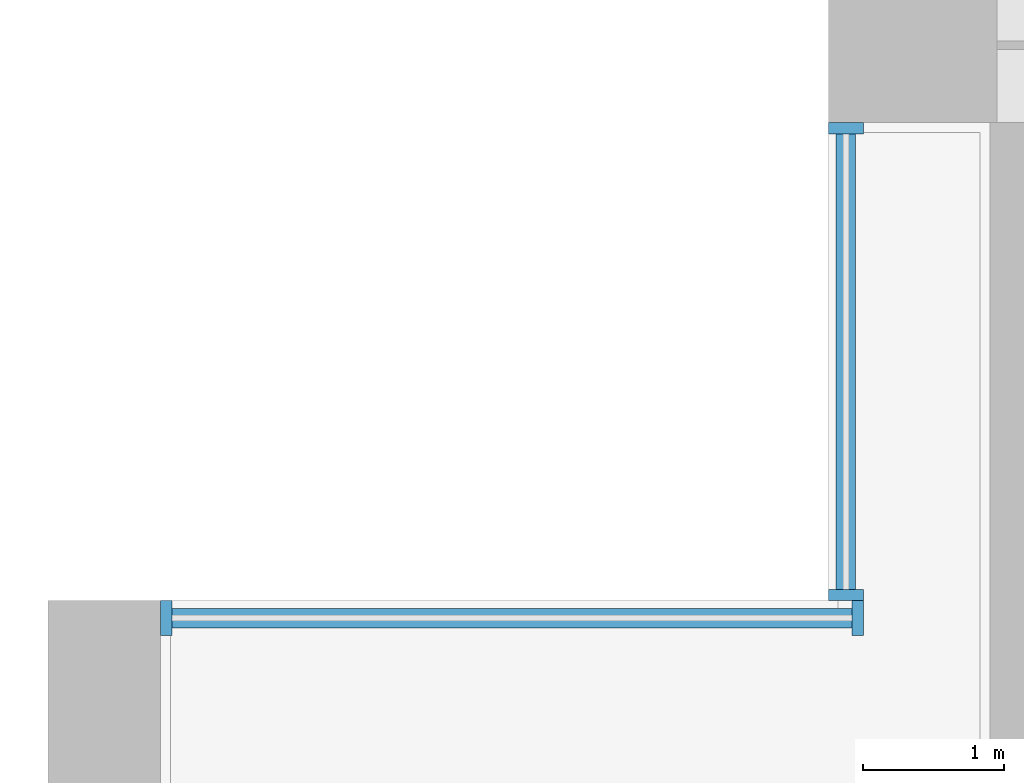
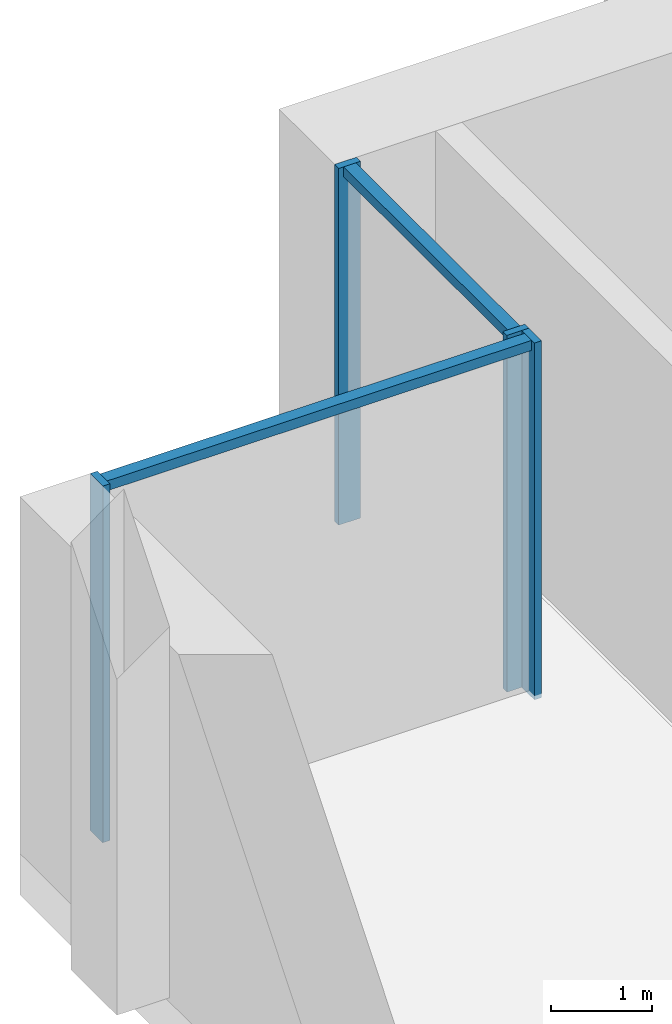
# One storey, part 4 of 17: 6 members, 2 elements without a shape of their own.
"""IFC4 building model written with IfcOpenShell, lengths in metres."""

import ifcopenshell
import ifcopenshell.guid

model = None  # the IFC model being written
_history = None  # IfcOwnerHistory: only IFC2X3 demands one
_inside = {}  # id of a spatial element -> (the spatial element, [elements in it])
_under = {}  # id of a project, library or spatial element -> (it, [spatial elements below it])
_declared = {}  # id of a project -> (the project, [libraries it declares])
_typed = {}  # id of a type object -> (the type object, [elements of that type])
_made_of = {}  # id of a material, layer set ... -> (it, [elements and type objects made of it])


def new_model(schema):
    """Start an empty IFC model of exactly this schema.

    Asked for "IFC4X3", IfcOpenShell would pick the latest addendum, in which some entities
    have other attributes; the version numbers below select the first issue.
    IFC2X3 requires an IfcOwnerHistory on every rooted entity: one is made here for all.
    """
    global model, _history
    if schema == "IFC4X3":
        model = ifcopenshell.file(schema_version=(4, 3, 0, 0))
    else:
        model = ifcopenshell.file(schema=schema)
    _inside.clear()
    _under.clear()
    _declared.clear()
    _typed.clear()
    _made_of.clear()
    _history = None
    if model.schema == "IFC2X3":
        org = make("IfcOrganization", Name="unknown")
        user = make(
            "IfcPersonAndOrganization",
            ThePerson=make("IfcPerson", FamilyName="unknown"),
            TheOrganization=org,
        )
        app = make(
            "IfcApplication",
            ApplicationDeveloper=org,
            Version="unknown",
            ApplicationFullName="unknown",
            ApplicationIdentifier="unknown",
        )
        _history = make(
            "IfcOwnerHistory",
            OwningUser=user,
            OwningApplication=app,
            ChangeAction="ADDED",
            CreationDate=0,
        )
    return model


def make(cls, **values):
    """One entity of the class cls with the attributes given. An attribute that is None is left unset."""
    return model.create_entity(
        cls, **{name: value for name, value in values.items() if value is not None}
    )


def rooted(cls, **values):
    """An entity with a GlobalId (a new one), such as an element, a storey or a relation."""
    return make(cls, GlobalId=ifcopenshell.guid.new(), OwnerHistory=_history, **values)


def si_unit(unit_type, name, prefix=None):
    """IfcSIUnit, for example si_unit("LENGTHUNIT", "METRE", prefix="MILLI")."""
    return make("IfcSIUnit", UnitType=unit_type, Prefix=prefix, Name=name)


def assignment(units):
    """IfcUnitAssignment: the units of a project."""
    return None if units is None else make("IfcUnitAssignment", Units=units)


def point(xyz):
    """IfcCartesianPoint."""
    return None if xyz is None else make("IfcCartesianPoint", Coordinates=xyz)


def direction(xyz):
    """IfcDirection."""
    return None if xyz is None else make("IfcDirection", DirectionRatios=xyz)


def frame(location, z_axis=None, x_axis=None):
    """IfcAxis2Placement3D, a coordinate frame: its origin and axes. An axis left out is left unset."""
    return make(
        "IfcAxis2Placement3D",
        Location=point(location),
        Axis=direction(z_axis),
        RefDirection=direction(x_axis),
    )


def frame_2d(location, x_axis=None):
    """IfcAxis2Placement2D, a coordinate frame in the plane: its origin and x axis."""
    return make(
        "IfcAxis2Placement2D", Location=point(location), RefDirection=direction(x_axis)
    )


def origin():
    """The frame at (0, 0, 0) with its axes left unset."""
    return frame((0.0, 0.0, 0.0))


def origin_2d():
    """The frame at (0, 0) in the plane with its x axis left unset."""
    return frame_2d((0.0, 0.0))


def place(relative_to, where):
    """IfcLocalPlacement: puts the frame where relative to a parent placement (None: the world)."""
    return make(
        "IfcLocalPlacement", PlacementRelTo=relative_to, RelativePlacement=where
    )


def context(
    kind, dimensions, precision=None, world=None, true_north=None, identifier=None
):
    """IfcGeometricRepresentationContext, for example the 3D "Model" context."""
    return make(
        "IfcGeometricRepresentationContext",
        ContextIdentifier=identifier,
        ContextType=kind,
        CoordinateSpaceDimension=dimensions,
        Precision=precision,
        WorldCoordinateSystem=world,
        TrueNorth=true_north,
    )


def subcontext(parent, identifier, kind, view, scale=None):
    """IfcGeometricRepresentationSubContext, for example "Body" below "Model"."""
    return make(
        "IfcGeometricRepresentationSubContext",
        ContextIdentifier=identifier,
        ContextType=kind,
        ParentContext=parent,
        TargetScale=scale,
        TargetView=view,
    )


def project(units=None, contexts=None):
    """IfcProject with its units and contexts."""
    return rooted(
        "IfcProject",
        Name="project",
        RepresentationContexts=contexts,
        UnitsInContext=assignment(units),
    )


def spatial(cls, under=None, at=None, **own):
    """A site, building, storey or space (cls), placed at a placement, below another one or the project."""
    s = rooted(cls, ObjectPlacement=at, **own)
    if under is not None:
        _under.setdefault(under.id(), (under, []))[1].append(s)
    return s


def profile(cls, at=None, kind="AREA", **sizes):
    """A parametric profile (cls). Its sizes go by their IFC names, for example OverallWidth=200.0."""
    return make(cls, ProfileType=kind, Position=at, **sizes)


def rectangle(**sizes):
    """IfcRectangleProfileDef."""
    return profile("IfcRectangleProfileDef", **sizes)


def extrude(swept, where, along, depth):
    """IfcExtrudedAreaSolid: the profile swept, set in the frame where, extruded along a direction by depth."""
    return make(
        "IfcExtrudedAreaSolid",
        SweptArea=swept,
        Position=where,
        ExtrudedDirection=direction(along),
        Depth=depth,
    )


def shape(context_of_items, identifier, shape_type, items):
    """IfcShapeRepresentation: the items that make up one representation, for example the "Body"."""
    return make(
        "IfcShapeRepresentation",
        ContextOfItems=context_of_items,
        RepresentationIdentifier=identifier,
        RepresentationType=shape_type,
        Items=items,
    )


def material(Name=None, Category=None):
    """IfcMaterial."""
    return make("IfcMaterial", Name=Name, Category=Category)


def material_profile(
    of_material, cross_section, Name=None, Category=None, Priority=None
):
    """IfcMaterialProfile: a cross section and its material."""
    return make(
        "IfcMaterialProfile",
        Name=Name,
        Material=of_material,
        Profile=cross_section,
        Priority=Priority,
        Category=Category,
    )


def profile_set(profiles, Name=None, composite=None):
    """IfcMaterialProfileSet."""
    return make(
        "IfcMaterialProfileSet",
        Name=Name,
        MaterialProfiles=profiles,
        CompositeProfile=composite,
    )


def made_of(thing, what):
    """Note that an element or type object is made of a material, layer set ...; save() writes the relation."""
    if what is not None:
        _made_of.setdefault(what.id(), (what, []))[1].append(thing)
    return thing


def type_object(cls, material=None, **own):
    """A type object (cls), such as IfcWallType, which elements share."""
    return made_of(rooted(cls, **own), material)


def element(
    cls,
    number,
    at=None,
    inside=None,
    cuts=None,
    type_object=None,
    material=None,
    context=None,
    identifier="Body",
    shape_type=None,
    held_by="IfcProductDefinitionShape",
    body=None,
    shapes=None,
    **own,
):
    """One element of the class cls, such as IfcWall. Its Tag is "e" and its number.

    at: its placement. inside: the storey or other place that contains it. cuts: it is an
    opening in that element (IfcRelVoidsElement). A single representation is given by context,
    identifier, shape_type and body (its items); several are given by shapes. held_by: the class
    of the entity that holds the representations. save() writes the other relations.
    """
    e = rooted(cls, Tag="e%d" % number, ObjectPlacement=at, **own)
    if body is not None:
        shapes = [shape(context, identifier, shape_type, body)]
    if shapes is not None:
        e.Representation = make(held_by, Representations=shapes)
    if inside is not None:
        _inside.setdefault(inside.id(), (inside, []))[1].append(e)
    if cuts is not None:
        rooted(
            "IfcRelVoidsElement", RelatingBuildingElement=cuts, RelatedOpeningElement=e
        )
    if type_object is not None:
        _typed.setdefault(type_object.id(), (type_object, []))[1].append(e)
    return made_of(e, material)


def aggregate(whole, parts):
    """IfcRelAggregates: a whole, such as a stair, and the parts it consists of."""
    return rooted("IfcRelAggregates", RelatingObject=whole, RelatedObjects=parts)


def save(model, path):
    """Write the relations noted so far, then the file.

    IfcRelAggregates (storeys below a building ...), IfcRelContainedInSpatialStructure (elements
    in a storey), IfcRelDefinesByType, IfcRelAssociatesMaterial and IfcRelDeclares: one each for
    every whole, place, type object, material and project.
    """
    for whole, parts in _under.values():
        aggregate(whole, parts)
    for where, things in _inside.values():
        rooted(
            "IfcRelContainedInSpatialStructure",
            RelatedElements=things,
            RelatingStructure=where,
        )
    for kind, things in _typed.values():
        rooted("IfcRelDefinesByType", RelatedObjects=things, RelatingType=kind)
    for what, things in _made_of.values():
        rooted("IfcRelAssociatesMaterial", RelatedObjects=things, RelatingMaterial=what)
    for by, libraries in _declared.values():
        rooted("IfcRelDeclares", RelatingContext=by, RelatedDefinitions=libraries)
    model.write(path)


model = new_model("IFC4")

# Units and contexts
model_context = context("Model", 3, precision=1e-05, world=origin(), true_north=direction((0.0, 1.0)))
body_context = subcontext(model_context, "Body", "Model", "MODEL_VIEW")
ifc_project = project(units=[si_unit("LENGTHUNIT", "METRE"), si_unit("AREAUNIT", "SQUARE_METRE"), si_unit("VOLUMEUNIT", "CUBIC_METRE"), si_unit("PLANEANGLEUNIT", "RADIAN"), si_unit("MASSUNIT", "GRAM", prefix="KILO")], contexts=[model_context])

# Site, building, storey
site_placement = place(None, origin())
site = spatial("IfcSite", under=ifc_project, at=site_placement, CompositionType="ELEMENT")
building_placement = place(site_placement, origin())
building = spatial("IfcBuilding", under=site, at=building_placement, Name="Calvaro Tower", CompositionType="ELEMENT")
storey_placement = place(building_placement, frame((0.0, 0.0, 6.5)))
storey = spatial("IfcBuildingStorey", under=building, at=storey_placement, Name="L01", CompositionType="ELEMENT", Elevation=6.5)

# Curtain wall, members
ifc_material_1 = material(Name="Anodised aluminium", Category="aluminium")
curtain_wall_type = type_object("IfcCurtainWallType", Name="Restaurant curtain wall", PredefinedType="NOTDEFINED", material=ifc_material_1)
curtain_wall_1_placement = place(storey_placement, origin())
curtain_wall_1 = element("IfcCurtainWall", 1, at=curtain_wall_1_placement, inside=storey, type_object=curtain_wall_type, Name="CW5 corner curtain wall", PredefinedType="NOTDEFINED")
ifc_material_2 = material(Name="Anodised aluminium", Category="aluminium")
ifc_material_profile_1 = material_profile(ifc_material_2, rectangle(XDim=0.25, YDim=0.080078125, at=origin_2d()), Name="Mullion PR 80 x 250")
ifc_profile_set_1 = profile_set([ifc_material_profile_1], Name="Anodised aluminium")
member_type_1 = type_object("IfcMemberType", Name="Mullion PR 80 x 250", PredefinedType="MULLION", material=ifc_profile_set_1)
member_1_placement = place(storey_placement, frame((5.675048828125, 41.5400390625, 0.0), z_axis=(0.0, 0.0, 1.0), x_axis=(-1.0, 0.0, 0.0)))
member_1 = element("IfcMember", 2, at=member_1_placement, type_object=member_type_1, Name="CW5 mullion 1", PredefinedType="MULLION", context=body_context, shape_type="SweptSolid", body=[
    extrude(rectangle(XDim=0.25, YDim=0.080078125, at=origin_2d()), origin(), (0.0, 0.0, 1.0), 4.300048828125),
])
member_2_placement = place(storey_placement, frame((5.675048828125, 44.860107421875, 0.0), z_axis=(0.0, 0.0, 1.0), x_axis=(-1.0, 0.0, 0.0)))
member_2 = element("IfcMember", 3, at=member_2_placement, type_object=member_type_1, Name="CW5 mullion 2", PredefinedType="MULLION", context=body_context, shape_type="SweptSolid", body=[
    extrude(rectangle(XDim=0.25, YDim=0.080078125, at=origin_2d()), origin(), (0.0, 0.0, 1.0), 4.300048828125),
])

curtain_wall_2_placement = place(storey_placement, origin())
curtain_wall_2 = element("IfcCurtainWall", 4, at=curtain_wall_2_placement, inside=storey, type_object=curtain_wall_type, Name="CW5 corner curtain wall", PredefinedType="NOTDEFINED")
member_3_placement = place(storey_placement, frame((0.840087890625, 41.375, 0.0), z_axis=(0.0, 0.0, 1.0), x_axis=(0.0, 1.0, 0.0)))
member_3 = element("IfcMember", 5, at=member_3_placement, type_object=member_type_1, Name="CW5 mullion 1", PredefinedType="MULLION", context=body_context, shape_type="SweptSolid", body=[
    extrude(rectangle(XDim=0.25, YDim=0.080078125, at=origin_2d()), origin(), (0.0, 0.0, 1.0), 4.300048828125),
])
member_4_placement = place(storey_placement, frame((5.760009765625, 41.375, 0.0), z_axis=(0.0, 0.0, 1.0), x_axis=(0.0, 1.0, 0.0)))
member_4 = element("IfcMember", 6, at=member_4_placement, type_object=member_type_1, Name="CW5 mullion 2", PredefinedType="MULLION", context=body_context, shape_type="SweptSolid", body=[
    extrude(rectangle(XDim=0.25, YDim=0.080078125, at=origin_2d()), origin(), (0.0, 0.0, 1.0), 4.300048828125),
])

# Member
ifc_material_3 = material(Name="Anodised aluminium", Category="aluminium")
ifc_material_profile_2 = material_profile(ifc_material_3, rectangle(XDim=0.139892578125, YDim=0.1201171875, at=origin_2d()), Name="Transom PR 120 x 140")
ifc_profile_set_2 = profile_set([ifc_material_profile_2], Name="Anodised aluminium")
member_type_2 = type_object("IfcMemberType", Name="Transom PR 120 x 140", PredefinedType="USERDEFINED", material=ifc_profile_set_2)
member_5_placement = place(storey_placement, frame((5.675048828125, 41.580078125, 4.239990234375), z_axis=(0.0, 1.0, 0.0), x_axis=(-1.0, 0.0, 0.0)))
member_5 = element("IfcMember", 7, at=member_5_placement, type_object=member_type_2, Name="CW5 transom 1.1", ObjectType="TRANSOM", PredefinedType="USERDEFINED", context=body_context, shape_type="SweptSolid", body=[
    extrude(rectangle(XDim=0.139892578125, YDim=0.1201171875, at=origin_2d()), origin(), (0.0, 0.0, 1.0), 3.239990234375),
])

aggregate(curtain_wall_1, [member_1, member_2, member_5])

member_6_placement = place(storey_placement, frame((0.8798828125, 41.375, 4.239990234375), z_axis=(1.0, 0.0, 0.0), x_axis=(0.0, 1.0, 0.0)))
member_6 = element("IfcMember", 8, at=member_6_placement, type_object=member_type_2, Name="CW5 transom 1.1", ObjectType="TRANSOM", PredefinedType="USERDEFINED", context=body_context, shape_type="SweptSolid", body=[
    extrude(rectangle(XDim=0.139892578125, YDim=0.1201171875, at=origin_2d()), origin(), (0.0, 0.0, 1.0), 4.840087890625),
])

aggregate(curtain_wall_2, [member_3, member_4, member_6])

save(model, "model.ifc")
